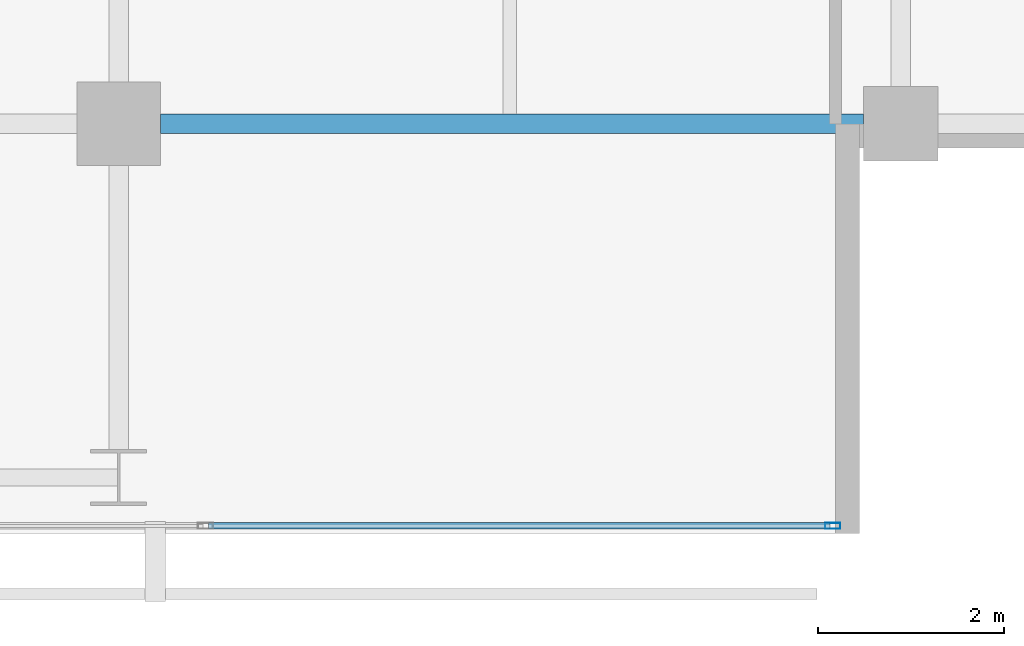
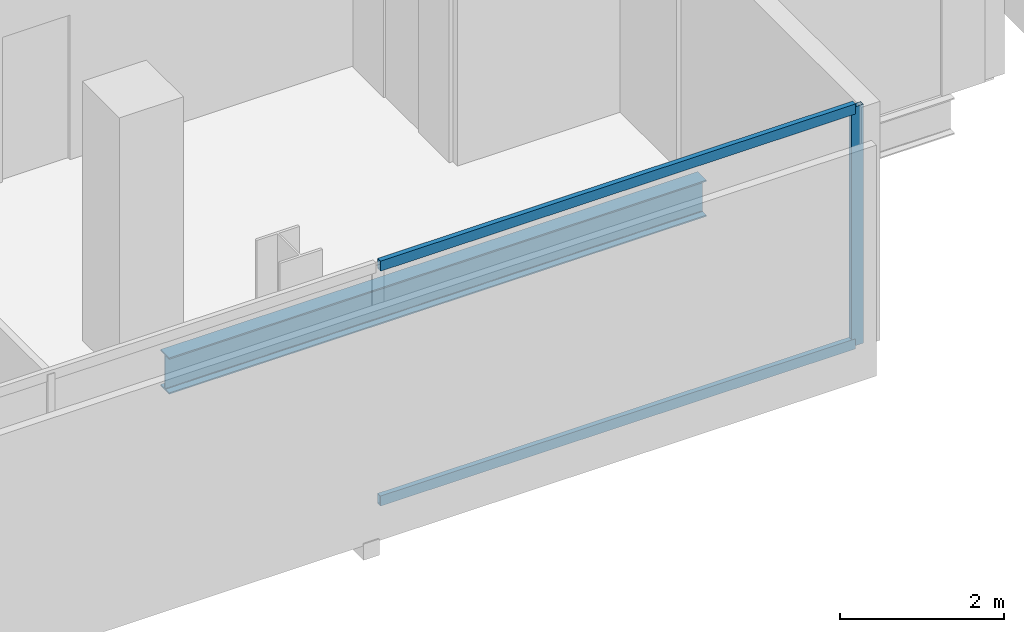
# One storey, part 13 of 32: 3 members, 1 beam, 1 element without a shape of its own.
"""IFC4 building model written with IfcOpenShell, lengths in metres."""

from ifc_helpers import new_model, si_unit, direction, frame, origin, origin_2d, place, context, subcontext, project, spatial, hollow_rectangle, i_section, extrude, material, layer, layer_set, material_profile, profile_set, type_object, element, aggregate, save


model = new_model("IFC4")

# Units and contexts
model_context = context("Model", 3, precision=1e-05, world=origin(), true_north=direction((0.0, 1.0)))
body_context = subcontext(model_context, "Body", "Model", "MODEL_VIEW")
ifc_project = project(units=[si_unit("LENGTHUNIT", "METRE"), si_unit("AREAUNIT", "SQUARE_METRE"), si_unit("VOLUMEUNIT", "CUBIC_METRE"), si_unit("PLANEANGLEUNIT", "RADIAN"), si_unit("MASSUNIT", "GRAM", prefix="KILO")], contexts=[model_context])

# Site, building, storey
site_placement = place(None, origin())
site = spatial("IfcSite", under=ifc_project, at=site_placement, CompositionType="ELEMENT")
building_placement = place(site_placement, origin())
building = spatial("IfcBuilding", under=site, at=building_placement, Name="Maruvema Waterfront Hotel and Observation Tower", CompositionType="ELEMENT")
storey_placement = place(building_placement, frame((0.0, 0.0, 223.64990234375)))
storey = spatial("IfcBuildingStorey", under=building, at=storey_placement, Name="L55", CompositionType="ELEMENT", Elevation=223.64990234375)

# Curtain wall, members
ifc_material_1 = material(Name="Anodised bronze aluminium and solar-control low-E IGU", Category="aluminium")
ifc_layer = layer(ifc_material_1, 0.159912109375, Name="Zone 2 Amber Inner Thermal Curtain Wall System CW-03")
ifc_layer_set = layer_set([ifc_layer], Name="Anodised bronze aluminium and solar-control low-E IGU")
curtain_wall_type = type_object("IfcCurtainWallType", Name="Zone 2 Amber Inner Thermal Curtain Wall System CW-03", PredefinedType="USERDEFINED", material=ifc_layer_set)
curtain_wall_placement = place(storey_placement, origin())
curtain_wall = element("IfcCurtainWall", 1, at=curtain_wall_placement, inside=storey, type_object=curtain_wall_type, Name="L55 Curtain Wall CW-L55-S", ObjectType="UNITISED CURTAIN WALL", PredefinedType="USERDEFINED")
ifc_material_2 = material(Name="Anodised architectural bronze aluminium", Category="aluminium")
ifc_material_profile_1 = material_profile(ifc_material_2, hollow_rectangle(XDim=0.070068359375, YDim=0.14990234375, WallThickness=0.00390625, at=origin_2d()), Name="ALU-T70x150")
ifc_profile_set_1 = profile_set([ifc_material_profile_1], Name="Anodised architectural bronze aluminium")
member_type_1 = type_object("IfcMemberType", Name="Curtain Wall Horizontal Transom ALU-T70x150", PredefinedType="USERDEFINED", material=ifc_profile_set_1)
member_1_placement = place(storey_placement, frame((51.36328125, 4.679931640625, 0.030029296875), z_axis=(1.0, 0.0, 0.0), x_axis=(0.0, 1.0, 0.0)))
member_1 = element("IfcMember", 2, at=member_1_placement, type_object=member_type_1, Name="CW-03 transom 6.1", ObjectType="TRANSOM", PredefinedType="USERDEFINED", context=body_context, shape_type="SweptSolid", body=[
    extrude(hollow_rectangle(XDim=0.070068359375, YDim=0.14990234375, WallThickness=0.00390625, at=origin_2d()), origin(), (0.0, 0.0, 1.0), 6.6767578125),
])
member_2_placement = place(storey_placement, frame((51.36328125, 4.679931640625, 3.52001953125), z_axis=(1.0, 0.0, 0.0), x_axis=(0.0, 1.0, 0.0)))
member_2 = element("IfcMember", 3, at=member_2_placement, type_object=member_type_1, Name="CW-03 transom 6.2", ObjectType="TRANSOM", PredefinedType="USERDEFINED", context=body_context, shape_type="SweptSolid", body=[
    extrude(hollow_rectangle(XDim=0.070068359375, YDim=0.14990234375, WallThickness=0.00390625, at=origin_2d()), origin(), (0.0, 0.0, 1.0), 6.6767578125),
])
ifc_material_3 = material(Name="Anodised architectural bronze aluminium", Category="aluminium")
ifc_material_profile_2 = material_profile(ifc_material_3, hollow_rectangle(XDim=0.06494140625, YDim=0.1650390625, WallThickness=0.00390625, at=origin_2d()), Name="ALU-M65x165")
ifc_profile_set_2 = profile_set([ifc_material_profile_2], Name="Anodised architectural bronze aluminium")
member_type_2 = type_object("IfcMemberType", Name="Curtain Wall Primary Mullion ALU-M65x165", PredefinedType="MULLION", material=ifc_profile_set_2)
member_3_placement = place(storey_placement, frame((58.070068359375, 4.679931640625, 0.0), z_axis=(0.0, 0.0, 1.0), x_axis=(0.0, 1.0, 0.0)))
member_3 = element("IfcMember", 4, at=member_3_placement, type_object=member_type_2, Name="CW-03 mullion 7", PredefinedType="MULLION", context=body_context, shape_type="SweptSolid", body=[
    extrude(hollow_rectangle(XDim=0.06494140625, YDim=0.1650390625, WallThickness=0.00390625, at=origin_2d()), origin(), (0.0, 0.0, 1.0), 3.550048828125),
])
aggregate(curtain_wall, [member_3, member_1, member_2])

# Beam
ifc_material_4 = material(Name="Steel ASTM A572 Grade 50", Category="steel")
ifc_material_profile_3 = material_profile(ifc_material_4, i_section(OverallWidth=0.2109375, OverallDepth=0.5390625, WebThickness=0.01171875, FlangeThickness=0.018798828125, FilletRadius=0.014892578125, at=origin_2d()), Name="W530x109.0")
ifc_profile_set_3 = profile_set([ifc_material_profile_3], Name="Steel ASTM A572 Grade 50")
beam_type = type_object("IfcBeamType", Name="Primary Floor Girder W530x109.0", PredefinedType="BEAM", material=ifc_profile_set_3)
beam_placement = place(storey_placement, frame((50.85009765625, 9.0, -0.509521484375), z_axis=(1.0, 0.0, 0.0), x_axis=(0.0, 1.0, 0.0)))
element("IfcBeam", 5, at=beam_placement, inside=storey, type_object=beam_type, Name="L55 Floor Girder EW-09", PredefinedType="BEAM", context=body_context, shape_type="SweptSolid", body=[
    extrude(i_section(OverallWidth=0.2109375, OverallDepth=0.5390625, WebThickness=0.01171875, FlangeThickness=0.018798828125, FilletRadius=0.014892578125, at=origin_2d()), origin(), (0.0, 0.0, 1.0), 7.5498046875),
])

save(model, "model.ifc")
